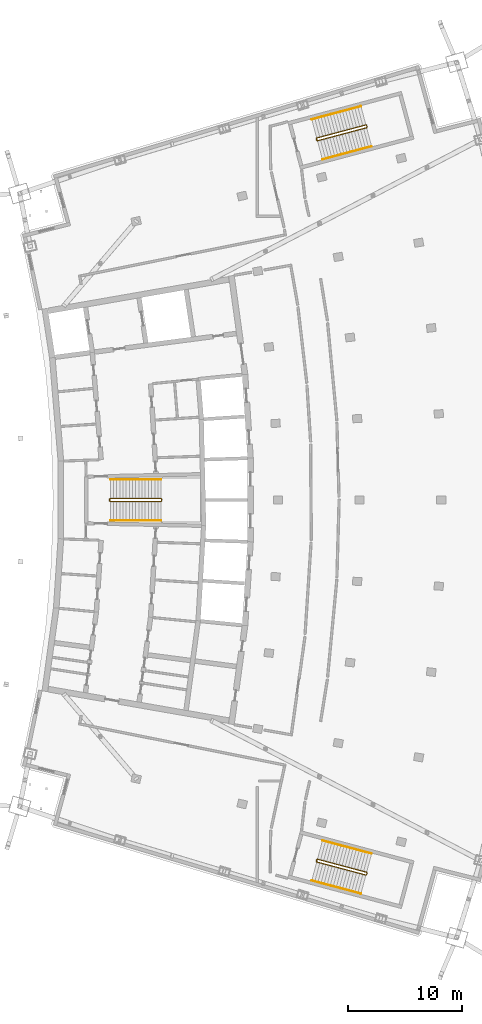
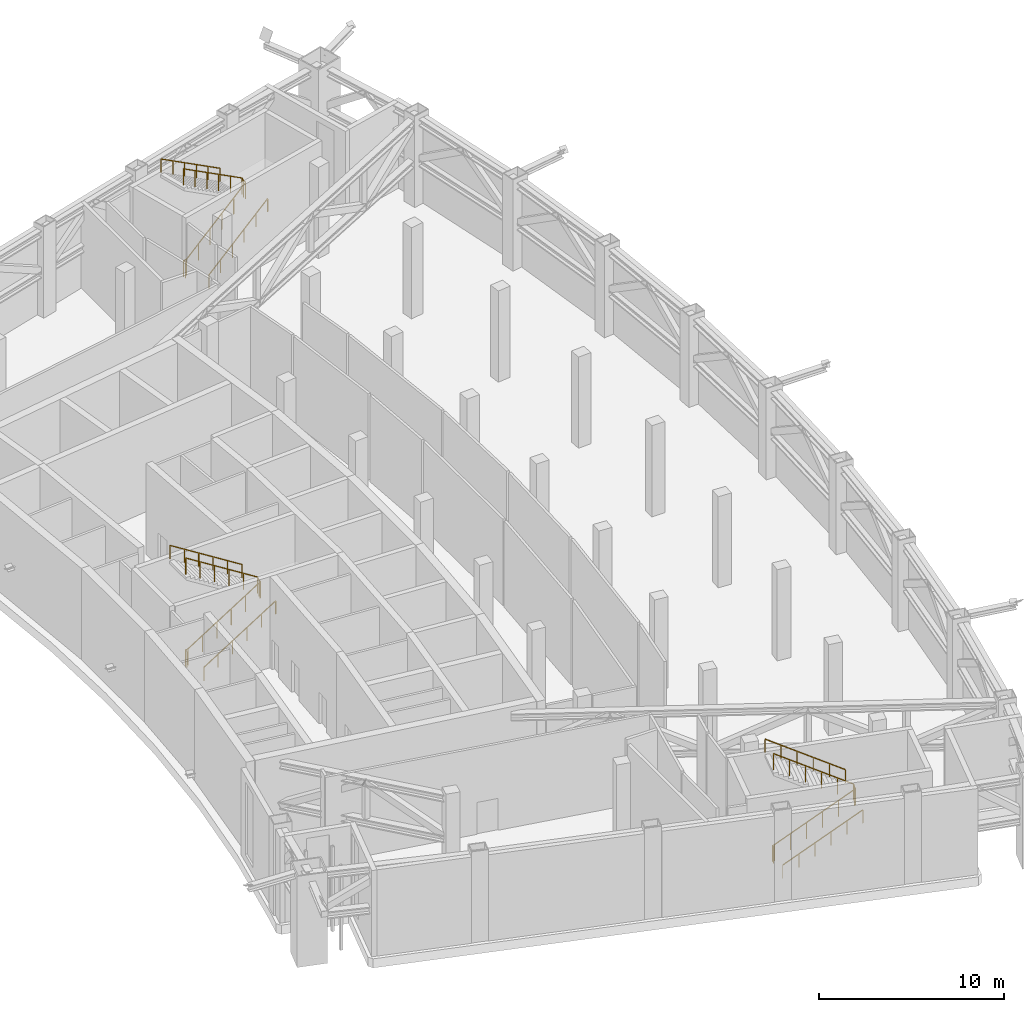
# One storey, part 23 of 23: 9 railings.
"""IFC4 building model written with IfcOpenShell, lengths in metres."""

from ifc_helpers import new_model, si_unit, direction, frame, origin, origin_with_axes, origin_2d, place, context, subcontext, project, spatial, rectangle, extrude, material, type_object, element, save


model = new_model("IFC4")

# Units and contexts
model_context = context("Model", 3, precision=1e-05, world=origin(), true_north=direction((0.0, 1.0)))
body_context = subcontext(model_context, "Body", "Model", "MODEL_VIEW")
ifc_project = project(units=[si_unit("LENGTHUNIT", "METRE"), si_unit("AREAUNIT", "SQUARE_METRE"), si_unit("VOLUMEUNIT", "CUBIC_METRE"), si_unit("PLANEANGLEUNIT", "RADIAN"), si_unit("MASSUNIT", "GRAM", prefix="KILO")], contexts=[model_context])

# Site, building, storey
site_placement = place(None, origin())
site = spatial("IfcSite", under=ifc_project, at=site_placement, CompositionType="ELEMENT")
building_placement = place(site_placement, origin())
building = spatial("IfcBuilding", under=site, at=building_placement, Name="Alderwake Tower", CompositionType="ELEMENT")
storey_placement = place(building_placement, frame((0.0, 0.0, 239.60009765625)))
storey = spatial("IfcBuildingStorey", under=building, at=storey_placement, Name="L59", CompositionType="ELEMENT", Elevation=239.60009765625)

# Railings
ifc_material_1 = material(Name="Stainless steel guard", Category="steel")
railing_type_1 = type_object("IfcRailingType", Name="Stair guard 1100", PredefinedType="GUARDRAIL", material=ifc_material_1)
railing_1_placement = place(storey_placement, frame((20.989990234375, 60.925048828125, 0.0)))
element("IfcRailing", 1, at=railing_1_placement, inside=storey, type_object=railing_type_1, Name="L59 ST-B stair guard 1", PredefinedType="GUARDRAIL", context=body_context, shape_type="SweptSolid", body=[
    extrude(rectangle(XDim=0.048095703125, YDim=0.048095703125, at=origin_2d()), frame((0.0, 0.0, 1.076171875), z_axis=(0.0, 1.0, 0.0), x_axis=(-1.0, 0.0, 0.0)), (0.0, 0.0, 1.0), 0.14990234375),
    extrude(rectangle(XDim=0.048095703125, YDim=0.048095703125, at=origin_2d()), frame((0.0, 0.14990234375, 1.076171875), z_axis=(0.184537215682, -0.737248681189, 0.649931071817), x_axis=(0.970072785993, 0.242814311512, 0.0)), (0.0, 0.0, 1.0), 0.271240234375),
    extrude(rectangle(XDim=0.048095703125, YDim=0.048095703125, at=origin_2d()), frame((0.050048828125, -0.050048828125, 1.25244140625), z_axis=(0.845977142166, 0.0, 0.533219162196), x_axis=(0.0, 1.0, 0.0)), (0.0, 0.0, 1.0), 5.295654296875),
    extrude(rectangle(XDim=0.048095703125, YDim=0.048095703125, at=origin_2d()), frame((4.530029296875, -0.050048828125, 4.076171875), z_axis=(0.707106781187, 0.707106781187, 0.0), x_axis=(-0.707106781187, 0.707106781187, 0.0)), (0.0, 0.0, 1.0), 0.07080078125),
    extrude(rectangle(XDim=0.048095703125, YDim=0.048095703125, at=origin_2d()), frame((4.580078125, 0.0, 4.076171875), z_axis=(0.0, 1.0, 0.0), x_axis=(-1.0, 0.0, 0.0)), (0.0, 0.0, 1.0), 0.14990234375),
    extrude(rectangle(XDim=0.048095703125, YDim=0.048095703125, at=origin_2d()), frame((4.580078125, 0.14990234375, 4.076171875), z_axis=(-0.263485261471, 0.263485261471, 0.927982237963), x_axis=(-0.707106781187, -0.707106781187, 0.0)), (0.0, 0.0, 1.0), 0.18994140625),
    extrude(rectangle(XDim=0.048095703125, YDim=0.048095703125, at=origin_2d()), frame((4.530029296875, 0.199951171875, 4.25244140625), z_axis=(-0.845977142166, 0.0, 0.533219162196), x_axis=(0.0, -1.0, 0.0)), (0.0, 0.0, 1.0), 5.295654296875),
    extrude(rectangle(XDim=0.0419921875, YDim=0.0419921875, at=origin_2d()), frame((0.0, 0.0, 0.0), z_axis=(0.0, 0.0, 1.0), x_axis=(0.0, 1.0, 0.0)), (0.0, 0.0, 1.0), 1.052001953125),
    extrude(rectangle(XDim=0.0419921875, YDim=0.0419921875, at=origin_2d()), frame((0.0, 0.14990234375, 0.0), z_axis=(0.0, 0.0, 1.0), x_axis=(0.242814311512, -0.970072785993, 0.0)), (0.0, 0.0, 1.0), 1.052001953125),
    extrude(rectangle(XDim=0.0419921875, YDim=0.0419921875, at=origin_2d()), frame((0.050048828125, -0.050048828125, 0.17626953125), z_axis=(0.0, 0.0, 1.0), x_axis=(1.0, 0.0, 0.0)), (0.0, 0.0, 1.0), 1.052001953125),
    extrude(rectangle(XDim=0.0419921875, YDim=0.0419921875, at=origin_2d()), frame((0.946044921875, -0.050048828125, 0.740966796875), z_axis=(0.0, 0.0, 1.0), x_axis=(1.0, 0.0, 0.0)), (0.0, 0.0, 1.0), 1.052001953125),
    extrude(rectangle(XDim=0.0419921875, YDim=0.0419921875, at=origin_2d()), frame((1.842041015625, -0.050048828125, 1.3056640625), z_axis=(0.0, 0.0, 1.0), x_axis=(1.0, 0.0, 0.0)), (0.0, 0.0, 1.0), 1.052001953125),
    extrude(rectangle(XDim=0.0419921875, YDim=0.0419921875, at=origin_2d()), frame((2.738037109375, -0.050048828125, 1.87060546875), z_axis=(0.0, 0.0, 1.0), x_axis=(1.0, 0.0, 0.0)), (0.0, 0.0, 1.0), 1.052001953125),
    extrude(rectangle(XDim=0.0419921875, YDim=0.0419921875, at=origin_2d()), frame((3.634033203125, -0.050048828125, 2.435302734375), z_axis=(0.0, 0.0, 1.0), x_axis=(1.0, 0.0, 0.0)), (0.0, 0.0, 1.0), 1.052001953125),
    extrude(rectangle(XDim=0.0419921875, YDim=0.0419921875, at=origin_2d()), frame((4.530029296875, -0.050048828125, 3.0), z_axis=(0.0, 0.0, 1.0), x_axis=(0.707106781187, 0.707106781187, 0.0)), (0.0, 0.0, 1.0), 1.052001953125),
    extrude(rectangle(XDim=0.0419921875, YDim=0.0419921875, at=origin_2d()), frame((4.580078125, 0.0, 3.0), z_axis=(0.0, 0.0, 1.0), x_axis=(0.0, 1.0, 0.0)), (0.0, 0.0, 1.0), 1.052001953125),
    extrude(rectangle(XDim=0.0419921875, YDim=0.0419921875, at=origin_2d()), frame((4.580078125, 0.14990234375, 3.0), z_axis=(0.0, 0.0, 1.0), x_axis=(-0.707106781187, 0.707106781187, 0.0)), (0.0, 0.0, 1.0), 1.052001953125),
    extrude(rectangle(XDim=0.0419921875, YDim=0.0419921875, at=origin_2d()), frame((4.530029296875, 0.199951171875, 3.17626953125), z_axis=(0.0, 0.0, 1.0), x_axis=(-1.0, 0.0, 0.0)), (0.0, 0.0, 1.0), 1.052001953125),
    extrude(rectangle(XDim=0.0419921875, YDim=0.0419921875, at=origin_2d()), frame((3.634033203125, 0.199951171875, 3.740966796875), z_axis=(0.0, 0.0, 1.0), x_axis=(-1.0, 0.0, 0.0)), (0.0, 0.0, 1.0), 1.052001953125),
    extrude(rectangle(XDim=0.0419921875, YDim=0.0419921875, at=origin_2d()), frame((2.738037109375, 0.199951171875, 4.3056640625), z_axis=(0.0, 0.0, 1.0), x_axis=(-1.0, 0.0, 0.0)), (0.0, 0.0, 1.0), 1.052001953125),
    extrude(rectangle(XDim=0.0419921875, YDim=0.0419921875, at=origin_2d()), frame((1.842041015625, 0.199951171875, 4.87060546875), z_axis=(0.0, 0.0, 1.0), x_axis=(-1.0, 0.0, 0.0)), (0.0, 0.0, 1.0), 1.052001953125),
    extrude(rectangle(XDim=0.0419921875, YDim=0.0419921875, at=origin_2d()), frame((0.946044921875, 0.199951171875, 5.435302734375), z_axis=(0.0, 0.0, 1.0), x_axis=(-1.0, 0.0, 0.0)), (0.0, 0.0, 1.0), 1.052001953125),
    extrude(rectangle(XDim=0.0419921875, YDim=0.0419921875, at=origin_2d()), frame((0.050048828125, 0.199951171875, 6.0), z_axis=(0.0, 0.0, 1.0), x_axis=(-1.0, 0.0, 0.0)), (0.0, 0.0, 1.0), 1.052001953125),
])
railing_2_placement = place(storey_placement, frame((39.23291015625, 92.6806640625, 0.0)))
element("IfcRailing", 2, at=railing_2_placement, inside=storey, type_object=railing_type_1, Name="L59 ST-A stair guard 1", PredefinedType="GUARDRAIL", context=body_context, shape_type="SweptSolid", body=[
    extrude(rectangle(XDim=0.048095703125, YDim=0.048095703125, at=origin_2d()), frame((0.0, 0.0, 1.076171875), z_axis=(-0.257055032184, 0.966396766566, 0.0), x_axis=(-0.966396766566, -0.257055032184, 0.0)), (0.0, 0.0, 1.0), 0.150146484375),
    extrude(rectangle(XDim=0.048095703125, YDim=0.048095703125, at=origin_2d()), frame((-0.03857421875, 0.14501953125, 1.076171875), z_axis=(0.36808239504, -0.665068190549, 0.649768922296), x_axis=(0.874937996095, 0.484234966715, 0.0)), (0.0, 0.0, 1.0), 0.271240234375),
    extrude(rectangle(XDim=0.048095703125, YDim=0.048095703125, at=origin_2d()), frame((0.061279296875, -0.035400390625, 1.25244140625), z_axis=(0.817478926919, 0.21773928332, 0.533214598959), x_axis=(-0.257381118461, 0.966309970899, 0.0)), (0.0, 0.0, 1.0), 5.295654296875),
    extrude(rectangle(XDim=0.048095703125, YDim=0.048095703125, at=origin_2d()), frame((4.390380859375, 1.11767578125, 4.076171875), z_axis=(0.500220121494, 0.865898279276, 0.0), x_axis=(-0.865898279276, 0.500220121494, 0.0)), (0.0, 0.0, 1.0), 0.07080078125),
    extrude(rectangle(XDim=0.048095703125, YDim=0.048095703125, at=origin_2d()), frame((4.42578125, 1.178955078125, 4.076171875), z_axis=(-0.257055032184, 0.966396766566, 0.0), x_axis=(-0.966396766566, -0.257055032184, 0.0)), (0.0, 0.0, 1.0), 0.150146484375),
    extrude(rectangle(XDim=0.048095703125, YDim=0.048095703125, at=origin_2d()), frame((4.38720703125, 1.323974609375, 4.076171875), z_axis=(-0.322615179069, 0.186371318586, 0.928000634613), x_axis=(-0.500220121494, -0.865898279276, 0.0)), (0.0, 0.0, 1.0), 0.18994140625),
    extrude(rectangle(XDim=0.048095703125, YDim=0.048095703125, at=origin_2d()), frame((4.325927734375, 1.359375, 4.25244140625), z_axis=(-0.817478926919, -0.21773928332, 0.533214598959), x_axis=(0.257381118461, -0.966309970899, 0.0)), (0.0, 0.0, 1.0), 5.295654296875),
    extrude(rectangle(XDim=0.0419921875, YDim=0.0419921875, at=origin_2d()), frame((0.0, 0.0, 0.0), z_axis=(0.0, 0.0, 1.0), x_axis=(-0.257055032184, 0.966396766566, 0.0)), (0.0, 0.0, 1.0), 1.052001953125),
    extrude(rectangle(XDim=0.0419921875, YDim=0.0419921875, at=origin_2d()), frame((-0.03857421875, 0.14501953125, 0.0), z_axis=(0.0, 0.0, 1.0), x_axis=(0.484234966715, -0.874937996095, 0.0)), (0.0, 0.0, 1.0), 1.052001953125),
    extrude(rectangle(XDim=0.0419921875, YDim=0.0419921875, at=origin_2d()), frame((0.061279296875, -0.035400390625, 0.17626953125), z_axis=(0.0, 0.0, 1.0), x_axis=(0.966309970899, 0.257381118461, 0.0)), (0.0, 0.0, 1.0), 1.052001953125),
    extrude(rectangle(XDim=0.0419921875, YDim=0.0419921875, at=origin_2d()), frame((0.927001953125, 0.1953125, 0.740966796875), z_axis=(0.0, 0.0, 1.0), x_axis=(0.966309970899, 0.257381118461, 0.0)), (0.0, 0.0, 1.0), 1.052001953125),
    extrude(rectangle(XDim=0.0419921875, YDim=0.0419921875, at=origin_2d()), frame((1.79296875, 0.42578125, 1.3056640625), z_axis=(0.0, 0.0, 1.0), x_axis=(0.966309970899, 0.257381118461, 0.0)), (0.0, 0.0, 1.0), 1.052001953125),
    extrude(rectangle(XDim=0.0419921875, YDim=0.0419921875, at=origin_2d()), frame((2.65869140625, 0.656494140625, 1.87060546875), z_axis=(0.0, 0.0, 1.0), x_axis=(0.966309970899, 0.257381118461, 0.0)), (0.0, 0.0, 1.0), 1.052001953125),
    extrude(rectangle(XDim=0.0419921875, YDim=0.0419921875, at=origin_2d()), frame((3.524658203125, 0.886962890625, 2.435302734375), z_axis=(0.0, 0.0, 1.0), x_axis=(0.966309970899, 0.257381118461, 0.0)), (0.0, 0.0, 1.0), 1.052001953125),
    extrude(rectangle(XDim=0.0419921875, YDim=0.0419921875, at=origin_2d()), frame((4.390380859375, 1.11767578125, 3.0), z_axis=(0.0, 0.0, 1.0), x_axis=(0.500220121494, 0.865898279276, 0.0)), (0.0, 0.0, 1.0), 1.052001953125),
    extrude(rectangle(XDim=0.0419921875, YDim=0.0419921875, at=origin_2d()), frame((4.42578125, 1.178955078125, 3.0), z_axis=(0.0, 0.0, 1.0), x_axis=(-0.257055032184, 0.966396766566, 0.0)), (0.0, 0.0, 1.0), 1.052001953125),
    extrude(rectangle(XDim=0.0419921875, YDim=0.0419921875, at=origin_2d()), frame((4.38720703125, 1.323974609375, 3.0), z_axis=(0.0, 0.0, 1.0), x_axis=(-0.865898279276, 0.500220121494, 0.0)), (0.0, 0.0, 1.0), 1.052001953125),
    extrude(rectangle(XDim=0.0419921875, YDim=0.0419921875, at=origin_2d()), frame((4.325927734375, 1.359375, 3.17626953125), z_axis=(0.0, 0.0, 1.0), x_axis=(-0.966309970899, -0.257381118461, 0.0)), (0.0, 0.0, 1.0), 1.052001953125),
    extrude(rectangle(XDim=0.0419921875, YDim=0.0419921875, at=origin_2d()), frame((3.460205078125, 1.128662109375, 3.740966796875), z_axis=(0.0, 0.0, 1.0), x_axis=(-0.966309970899, -0.257381118461, 0.0)), (0.0, 0.0, 1.0), 1.052001953125),
    extrude(rectangle(XDim=0.0419921875, YDim=0.0419921875, at=origin_2d()), frame((2.59423828125, 0.898193359375, 4.3056640625), z_axis=(0.0, 0.0, 1.0), x_axis=(-0.966309970899, -0.257381118461, 0.0)), (0.0, 0.0, 1.0), 1.052001953125),
    extrude(rectangle(XDim=0.0419921875, YDim=0.0419921875, at=origin_2d()), frame((1.728515625, 0.66748046875, 4.87060546875), z_axis=(0.0, 0.0, 1.0), x_axis=(-0.966309970899, -0.257381118461, 0.0)), (0.0, 0.0, 1.0), 1.052001953125),
    extrude(rectangle(XDim=0.0419921875, YDim=0.0419921875, at=origin_2d()), frame((0.862548828125, 0.43701171875, 5.435302734375), z_axis=(0.0, 0.0, 1.0), x_axis=(-0.966309970899, -0.257381118461, 0.0)), (0.0, 0.0, 1.0), 1.052001953125),
    extrude(rectangle(XDim=0.0419921875, YDim=0.0419921875, at=origin_2d()), frame((-0.003173828125, 0.206298828125, 6.0), z_axis=(0.0, 0.0, 1.0), x_axis=(-0.966309970899, -0.257381118461, 0.0)), (0.0, 0.0, 1.0), 1.052001953125),
])
railing_3_placement = place(storey_placement, frame((39.1943359375, 29.17431640625, 0.0)))
element("IfcRailing", 3, at=railing_3_placement, inside=storey, type_object=railing_type_1, Name="L59 ST-C stair guard 1", PredefinedType="GUARDRAIL", context=body_context, shape_type="SweptSolid", body=[
    extrude(rectangle(XDim=0.048095703125, YDim=0.048095703125, at=origin_2d()), frame((0.0, 0.0, 1.076171875), z_axis=(0.257459803502, 0.966289009345, 0.0), x_axis=(-0.966289009345, 0.257459803502, 0.0)), (0.0, 0.0, 1.0), 0.14990234375),
    extrude(rectangle(XDim=0.048095703125, YDim=0.048095703125, at=origin_2d()), frame((0.03857421875, 0.144775390625, 1.076171875), z_axis=(-0.011703692571, -0.759839733061, 0.650005079704), x_axis=(0.999881397308, -0.015401016783, 0.0)), (0.0, 0.0, 1.0), 0.271240234375),
    extrude(rectangle(XDim=0.048095703125, YDim=0.048095703125, at=origin_2d()), frame((0.035400390625, -0.061279296875, 1.25244140625), z_axis=(0.817478926919, -0.21773928332, 0.533214598959), x_axis=(0.257381118461, 0.966309970899, 0.0)), (0.0, 0.0, 1.0), 5.295654296875),
    extrude(rectangle(XDim=0.048095703125, YDim=0.048095703125, at=origin_2d()), frame((4.364501953125, -1.21435546875, 4.076171875), z_axis=(0.865898279276, 0.500220121494, 0.0), x_axis=(-0.500220121494, 0.865898279276, 0.0)), (0.0, 0.0, 1.0), 0.07080078125),
    extrude(rectangle(XDim=0.048095703125, YDim=0.048095703125, at=origin_2d()), frame((4.42578125, -1.178955078125, 4.076171875), z_axis=(0.257055032184, 0.966396766566, 0.0), x_axis=(-0.966396766566, 0.257055032184, 0.0)), (0.0, 0.0, 1.0), 0.150146484375),
    extrude(rectangle(XDim=0.048095703125, YDim=0.048095703125, at=origin_2d()), frame((4.46435546875, -1.033935546875, 4.076171875), z_axis=(-0.186371318586, 0.322615179069, 0.928000634613), x_axis=(-0.865898279276, -0.500220121494, 0.0)), (0.0, 0.0, 1.0), 0.18994140625),
    extrude(rectangle(XDim=0.048095703125, YDim=0.048095703125, at=origin_2d()), frame((4.428955078125, -0.97265625, 4.25244140625), z_axis=(-0.817478926919, 0.21773928332, 0.533214598959), x_axis=(-0.257381118461, -0.966309970899, 0.0)), (0.0, 0.0, 1.0), 5.295654296875),
    extrude(rectangle(XDim=0.0419921875, YDim=0.0419921875, at=origin_2d()), frame((0.0, 0.0, 0.0), z_axis=(0.0, 0.0, 1.0), x_axis=(0.257459803502, 0.966289009345, 0.0)), (0.0, 0.0, 1.0), 1.052001953125),
    extrude(rectangle(XDim=0.0419921875, YDim=0.0419921875, at=origin_2d()), frame((0.03857421875, 0.144775390625, 0.0), z_axis=(0.0, 0.0, 1.0), x_axis=(-0.015401016783, -0.999881397308, 0.0)), (0.0, 0.0, 1.0), 1.052001953125),
    extrude(rectangle(XDim=0.0419921875, YDim=0.0419921875, at=origin_2d()), frame((0.035400390625, -0.061279296875, 0.17626953125), z_axis=(0.0, 0.0, 1.0), x_axis=(0.966309970899, -0.257381118461, 0.0)), (0.0, 0.0, 1.0), 1.052001953125),
    extrude(rectangle(XDim=0.0419921875, YDim=0.0419921875, at=origin_2d()), frame((0.901123046875, -0.2919921875, 0.740966796875), z_axis=(0.0, 0.0, 1.0), x_axis=(0.966309970899, -0.257381118461, 0.0)), (0.0, 0.0, 1.0), 1.052001953125),
    extrude(rectangle(XDim=0.0419921875, YDim=0.0419921875, at=origin_2d()), frame((1.76708984375, -0.5224609375, 1.3056640625), z_axis=(0.0, 0.0, 1.0), x_axis=(0.966309970899, -0.257381118461, 0.0)), (0.0, 0.0, 1.0), 1.052001953125),
    extrude(rectangle(XDim=0.0419921875, YDim=0.0419921875, at=origin_2d()), frame((2.6328125, -0.753173828125, 1.87060546875), z_axis=(0.0, 0.0, 1.0), x_axis=(0.966309970899, -0.257381118461, 0.0)), (0.0, 0.0, 1.0), 1.052001953125),
    extrude(rectangle(XDim=0.0419921875, YDim=0.0419921875, at=origin_2d()), frame((3.498779296875, -0.983642578125, 2.435302734375), z_axis=(0.0, 0.0, 1.0), x_axis=(0.966309970899, -0.257381118461, 0.0)), (0.0, 0.0, 1.0), 1.052001953125),
    extrude(rectangle(XDim=0.0419921875, YDim=0.0419921875, at=origin_2d()), frame((4.364501953125, -1.21435546875, 3.0), z_axis=(0.0, 0.0, 1.0), x_axis=(0.865898279276, 0.500220121494, 0.0)), (0.0, 0.0, 1.0), 1.052001953125),
    extrude(rectangle(XDim=0.0419921875, YDim=0.0419921875, at=origin_2d()), frame((4.42578125, -1.178955078125, 3.0), z_axis=(0.0, 0.0, 1.0), x_axis=(0.257055032184, 0.966396766566, 0.0)), (0.0, 0.0, 1.0), 1.052001953125),
    extrude(rectangle(XDim=0.0419921875, YDim=0.0419921875, at=origin_2d()), frame((4.46435546875, -1.033935546875, 3.0), z_axis=(0.0, 0.0, 1.0), x_axis=(-0.500220121494, 0.865898279276, 0.0)), (0.0, 0.0, 1.0), 1.052001953125),
    extrude(rectangle(XDim=0.0419921875, YDim=0.0419921875, at=origin_2d()), frame((4.428955078125, -0.97265625, 3.17626953125), z_axis=(0.0, 0.0, 1.0), x_axis=(-0.966309970899, 0.257381118461, 0.0)), (0.0, 0.0, 1.0), 1.052001953125),
    extrude(rectangle(XDim=0.0419921875, YDim=0.0419921875, at=origin_2d()), frame((3.563232421875, -0.741943359375, 3.740966796875), z_axis=(0.0, 0.0, 1.0), x_axis=(-0.966309970899, 0.257381118461, 0.0)), (0.0, 0.0, 1.0), 1.052001953125),
    extrude(rectangle(XDim=0.0419921875, YDim=0.0419921875, at=origin_2d()), frame((2.697265625, -0.511474609375, 4.3056640625), z_axis=(0.0, 0.0, 1.0), x_axis=(-0.966309970899, 0.257381118461, 0.0)), (0.0, 0.0, 1.0), 1.052001953125),
    extrude(rectangle(XDim=0.0419921875, YDim=0.0419921875, at=origin_2d()), frame((1.83154296875, -0.28076171875, 4.87060546875), z_axis=(0.0, 0.0, 1.0), x_axis=(-0.966309970899, 0.257381118461, 0.0)), (0.0, 0.0, 1.0), 1.052001953125),
    extrude(rectangle(XDim=0.0419921875, YDim=0.0419921875, at=origin_2d()), frame((0.965576171875, -0.05029296875, 5.435302734375), z_axis=(0.0, 0.0, 1.0), x_axis=(-0.966309970899, 0.257381118461, 0.0)), (0.0, 0.0, 1.0), 1.052001953125),
    extrude(rectangle(XDim=0.0419921875, YDim=0.0419921875, at=origin_2d()), frame((0.099853515625, 0.180419921875, 6.0), z_axis=(0.0, 0.0, 1.0), x_axis=(-0.966309970899, 0.257381118461, 0.0)), (0.0, 0.0, 1.0), 1.052001953125),
])
ifc_material_2 = material(Name="Stainless steel handrail", Category="steel")
railing_type_2 = type_object("IfcRailingType", Name="Stair handrail 900", PredefinedType="HANDRAIL", material=ifc_material_2)
railing_4_placement = place(storey_placement, frame((21.0400390625, 59.175048828125, 0.17626953125)))
element("IfcRailing", 4, at=railing_4_placement, inside=storey, type_object=railing_type_2, Name="L59 ST-B stair handrail 1", PredefinedType="HANDRAIL", context=body_context, shape_type="SweptSolid", body=[
    extrude(rectangle(XDim=0.048095703125, YDim=0.048095703125, at=origin_2d()), frame((0.0, 0.0, 0.8759765625), z_axis=(0.845977142166, 0.0, 0.533219162196), x_axis=(0.0, 1.0, 0.0)), (0.0, 0.0, 1.0), 5.295654296875),
    extrude(rectangle(XDim=0.0419921875, YDim=0.0419921875, at=origin_2d()), origin_with_axes(), (0.0, 0.0, 1.0), 0.851806640625),
    extrude(rectangle(XDim=0.0419921875, YDim=0.0419921875, at=origin_2d()), frame((0.89599609375, 0.0, 0.564697265625), z_axis=(0.0, 0.0, 1.0), x_axis=(1.0, 0.0, 0.0)), (0.0, 0.0, 1.0), 0.851806640625),
    extrude(rectangle(XDim=0.0419921875, YDim=0.0419921875, at=origin_2d()), frame((1.7919921875, 0.0, 1.12939453125), z_axis=(0.0, 0.0, 1.0), x_axis=(1.0, 0.0, 0.0)), (0.0, 0.0, 1.0), 0.851806640625),
    extrude(rectangle(XDim=0.0419921875, YDim=0.0419921875, at=origin_2d()), frame((2.68798828125, 0.0, 1.6943359375), z_axis=(0.0, 0.0, 1.0), x_axis=(1.0, 0.0, 0.0)), (0.0, 0.0, 1.0), 0.851806640625),
    extrude(rectangle(XDim=0.0419921875, YDim=0.0419921875, at=origin_2d()), frame((3.583984375, 0.0, 2.259033203125), z_axis=(0.0, 0.0, 1.0), x_axis=(1.0, 0.0, 0.0)), (0.0, 0.0, 1.0), 0.851806640625),
    extrude(rectangle(XDim=0.0419921875, YDim=0.0419921875, at=origin_2d()), frame((4.47998046875, 0.0, 2.82373046875), z_axis=(0.0, 0.0, 1.0), x_axis=(1.0, 0.0, 0.0)), (0.0, 0.0, 1.0), 0.851806640625),
])
railing_5_placement = place(storey_placement, frame((25.52001953125, 62.824951171875, 3.17626953125)))
element("IfcRailing", 5, at=railing_5_placement, inside=storey, type_object=railing_type_2, Name="L59 ST-B stair handrail 2", PredefinedType="HANDRAIL", context=body_context, shape_type="SweptSolid", body=[
    extrude(rectangle(XDim=0.048095703125, YDim=0.048095703125, at=origin_2d()), frame((0.0, 0.0, 0.8759765625), z_axis=(-0.845977142166, 0.0, 0.533219162196), x_axis=(0.0, -1.0, 0.0)), (0.0, 0.0, 1.0), 5.295654296875),
    extrude(rectangle(XDim=0.0419921875, YDim=0.0419921875, at=origin_2d()), frame((0.0, 0.0, 0.0), z_axis=(0.0, 0.0, 1.0), x_axis=(-1.0, 0.0, 0.0)), (0.0, 0.0, 1.0), 0.851806640625),
    extrude(rectangle(XDim=0.0419921875, YDim=0.0419921875, at=origin_2d()), frame((-0.89599609375, 0.0, 0.564697265625), z_axis=(0.0, 0.0, 1.0), x_axis=(-1.0, 0.0, 0.0)), (0.0, 0.0, 1.0), 0.851806640625),
    extrude(rectangle(XDim=0.0419921875, YDim=0.0419921875, at=origin_2d()), frame((-1.7919921875, 0.0, 1.12939453125), z_axis=(0.0, 0.0, 1.0), x_axis=(-1.0, 0.0, 0.0)), (0.0, 0.0, 1.0), 0.851806640625),
    extrude(rectangle(XDim=0.0419921875, YDim=0.0419921875, at=origin_2d()), frame((-2.68798828125, 0.0, 1.6943359375), z_axis=(0.0, 0.0, 1.0), x_axis=(-1.0, 0.0, 0.0)), (0.0, 0.0, 1.0), 0.851806640625),
    extrude(rectangle(XDim=0.0419921875, YDim=0.0419921875, at=origin_2d()), frame((-3.583984375, 0.0, 2.259033203125), z_axis=(0.0, 0.0, 1.0), x_axis=(-1.0, 0.0, 0.0)), (0.0, 0.0, 1.0), 0.851806640625),
    extrude(rectangle(XDim=0.0419921875, YDim=0.0419921875, at=origin_2d()), frame((-4.47998046875, 0.0, 2.82373046875), z_axis=(0.0, 0.0, 1.0), x_axis=(-1.0, 0.0, 0.0)), (0.0, 0.0, 1.0), 0.851806640625),
])
railing_6_placement = place(storey_placement, frame((39.731689453125, 91.002685546875, 0.17626953125)))
element("IfcRailing", 6, at=railing_6_placement, inside=storey, type_object=railing_type_2, Name="L59 ST-A stair handrail 1", PredefinedType="HANDRAIL", context=body_context, shape_type="SweptSolid", body=[
    extrude(rectangle(XDim=0.048095703125, YDim=0.048095703125, at=origin_2d()), frame((0.0, 0.0, 0.8759765625), z_axis=(0.817478926919, 0.21773928332, 0.533214598959), x_axis=(-0.257381118461, 0.966309970899, 0.0)), (0.0, 0.0, 1.0), 5.295654296875),
    extrude(rectangle(XDim=0.0419921875, YDim=0.0419921875, at=origin_2d()), frame((0.0, 0.0, 0.0), z_axis=(0.0, 0.0, 1.0), x_axis=(0.966309970899, 0.257381118461, 0.0)), (0.0, 0.0, 1.0), 0.851806640625),
    extrude(rectangle(XDim=0.0419921875, YDim=0.0419921875, at=origin_2d()), frame((0.86572265625, 0.230712890625, 0.564697265625), z_axis=(0.0, 0.0, 1.0), x_axis=(0.966309970899, 0.257381118461, 0.0)), (0.0, 0.0, 1.0), 0.851806640625),
    extrude(rectangle(XDim=0.0419921875, YDim=0.0419921875, at=origin_2d()), frame((1.731689453125, 0.461181640625, 1.12939453125), z_axis=(0.0, 0.0, 1.0), x_axis=(0.966309970899, 0.257381118461, 0.0)), (0.0, 0.0, 1.0), 0.851806640625),
    extrude(rectangle(XDim=0.0419921875, YDim=0.0419921875, at=origin_2d()), frame((2.597412109375, 0.69189453125, 1.6943359375), z_axis=(0.0, 0.0, 1.0), x_axis=(0.966309970899, 0.257381118461, 0.0)), (0.0, 0.0, 1.0), 0.851806640625),
    extrude(rectangle(XDim=0.0419921875, YDim=0.0419921875, at=origin_2d()), frame((3.46337890625, 0.92236328125, 2.259033203125), z_axis=(0.0, 0.0, 1.0), x_axis=(0.966309970899, 0.257381118461, 0.0)), (0.0, 0.0, 1.0), 0.851806640625),
    extrude(rectangle(XDim=0.0419921875, YDim=0.0419921875, at=origin_2d()), frame((4.3291015625, 1.153076171875, 2.82373046875), z_axis=(0.0, 0.0, 1.0), x_axis=(0.966309970899, 0.257381118461, 0.0)), (0.0, 0.0, 1.0), 0.851806640625),
])
railing_7_placement = place(storey_placement, frame((43.121337890625, 95.6826171875, 3.17626953125)))
element("IfcRailing", 7, at=railing_7_placement, inside=storey, type_object=railing_type_2, Name="L59 ST-A stair handrail 2", PredefinedType="HANDRAIL", context=body_context, shape_type="SweptSolid", body=[
    extrude(rectangle(XDim=0.048095703125, YDim=0.048095703125, at=origin_2d()), frame((0.0, 0.0, 0.8759765625), z_axis=(-0.817478926919, -0.21773928332, 0.533214598959), x_axis=(0.257381118461, -0.966309970899, 0.0)), (0.0, 0.0, 1.0), 5.295654296875),
    extrude(rectangle(XDim=0.0419921875, YDim=0.0419921875, at=origin_2d()), frame((0.0, 0.0, 0.0), z_axis=(0.0, 0.0, 1.0), x_axis=(-0.966309970899, -0.257381118461, 0.0)), (0.0, 0.0, 1.0), 0.851806640625),
    extrude(rectangle(XDim=0.0419921875, YDim=0.0419921875, at=origin_2d()), frame((-0.86572265625, -0.230712890625, 0.564697265625), z_axis=(0.0, 0.0, 1.0), x_axis=(-0.966309970899, -0.257381118461, 0.0)), (0.0, 0.0, 1.0), 0.851806640625),
    extrude(rectangle(XDim=0.0419921875, YDim=0.0419921875, at=origin_2d()), frame((-1.731689453125, -0.461181640625, 1.12939453125), z_axis=(0.0, 0.0, 1.0), x_axis=(-0.966309970899, -0.257381118461, 0.0)), (0.0, 0.0, 1.0), 0.851806640625),
    extrude(rectangle(XDim=0.0419921875, YDim=0.0419921875, at=origin_2d()), frame((-2.597412109375, -0.69189453125, 1.6943359375), z_axis=(0.0, 0.0, 1.0), x_axis=(-0.966309970899, -0.257381118461, 0.0)), (0.0, 0.0, 1.0), 0.851806640625),
    extrude(rectangle(XDim=0.0419921875, YDim=0.0419921875, at=origin_2d()), frame((-3.46337890625, -0.92236328125, 2.259033203125), z_axis=(0.0, 0.0, 1.0), x_axis=(-0.966309970899, -0.257381118461, 0.0)), (0.0, 0.0, 1.0), 0.851806640625),
    extrude(rectangle(XDim=0.0419921875, YDim=0.0419921875, at=origin_2d()), frame((-4.3291015625, -1.153076171875, 2.82373046875), z_axis=(0.0, 0.0, 1.0), x_axis=(-0.966309970899, -0.257381118461, 0.0)), (0.0, 0.0, 1.0), 0.851806640625),
])
railing_8_placement = place(storey_placement, frame((38.792236328125, 27.47021484375, 0.17626953125)))
element("IfcRailing", 8, at=railing_8_placement, inside=storey, type_object=railing_type_2, Name="L59 ST-C stair handrail 1", PredefinedType="HANDRAIL", context=body_context, shape_type="SweptSolid", body=[
    extrude(rectangle(XDim=0.048095703125, YDim=0.048095703125, at=origin_2d()), frame((0.0, 0.0, 0.8759765625), z_axis=(0.817478926919, -0.21773928332, 0.533214598959), x_axis=(0.257381118461, 0.966309970899, 0.0)), (0.0, 0.0, 1.0), 5.295654296875),
    extrude(rectangle(XDim=0.0419921875, YDim=0.0419921875, at=origin_2d()), frame((0.0, 0.0, 0.0), z_axis=(0.0, 0.0, 1.0), x_axis=(0.966309970899, -0.257381118461, 0.0)), (0.0, 0.0, 1.0), 0.851806640625),
    extrude(rectangle(XDim=0.0419921875, YDim=0.0419921875, at=origin_2d()), frame((0.86572265625, -0.230712890625, 0.564697265625), z_axis=(0.0, 0.0, 1.0), x_axis=(0.966309970899, -0.257381118461, 0.0)), (0.0, 0.0, 1.0), 0.851806640625),
    extrude(rectangle(XDim=0.0419921875, YDim=0.0419921875, at=origin_2d()), frame((1.731689453125, -0.461181640625, 1.12939453125), z_axis=(0.0, 0.0, 1.0), x_axis=(0.966309970899, -0.257381118461, 0.0)), (0.0, 0.0, 1.0), 0.851806640625),
    extrude(rectangle(XDim=0.0419921875, YDim=0.0419921875, at=origin_2d()), frame((2.597412109375, -0.69189453125, 1.6943359375), z_axis=(0.0, 0.0, 1.0), x_axis=(0.966309970899, -0.257381118461, 0.0)), (0.0, 0.0, 1.0), 0.851806640625),
    extrude(rectangle(XDim=0.0419921875, YDim=0.0419921875, at=origin_2d()), frame((3.46337890625, -0.92236328125, 2.259033203125), z_axis=(0.0, 0.0, 1.0), x_axis=(0.966309970899, -0.257381118461, 0.0)), (0.0, 0.0, 1.0), 0.851806640625),
    extrude(rectangle(XDim=0.0419921875, YDim=0.0419921875, at=origin_2d()), frame((4.3291015625, -1.153076171875, 2.82373046875), z_axis=(0.0, 0.0, 1.0), x_axis=(0.966309970899, -0.257381118461, 0.0)), (0.0, 0.0, 1.0), 0.851806640625),
])
railing_9_placement = place(storey_placement, frame((44.060791015625, 29.84423828125, 3.17626953125)))
element("IfcRailing", 9, at=railing_9_placement, inside=storey, type_object=railing_type_2, Name="L59 ST-C stair handrail 2", PredefinedType="HANDRAIL", context=body_context, shape_type="SweptSolid", body=[
    extrude(rectangle(XDim=0.048095703125, YDim=0.048095703125, at=origin_2d()), frame((0.0, 0.0, 0.8759765625), z_axis=(-0.817478926919, 0.21773928332, 0.533214598959), x_axis=(-0.257381118461, -0.966309970899, 0.0)), (0.0, 0.0, 1.0), 5.295654296875),
    extrude(rectangle(XDim=0.0419921875, YDim=0.0419921875, at=origin_2d()), frame((0.0, 0.0, 0.0), z_axis=(0.0, 0.0, 1.0), x_axis=(-0.966309970899, 0.257381118461, 0.0)), (0.0, 0.0, 1.0), 0.851806640625),
    extrude(rectangle(XDim=0.0419921875, YDim=0.0419921875, at=origin_2d()), frame((-0.86572265625, 0.230712890625, 0.564697265625), z_axis=(0.0, 0.0, 1.0), x_axis=(-0.966309970899, 0.257381118461, 0.0)), (0.0, 0.0, 1.0), 0.851806640625),
    extrude(rectangle(XDim=0.0419921875, YDim=0.0419921875, at=origin_2d()), frame((-1.731689453125, 0.461181640625, 1.12939453125), z_axis=(0.0, 0.0, 1.0), x_axis=(-0.966309970899, 0.257381118461, 0.0)), (0.0, 0.0, 1.0), 0.851806640625),
    extrude(rectangle(XDim=0.0419921875, YDim=0.0419921875, at=origin_2d()), frame((-2.597412109375, 0.69189453125, 1.6943359375), z_axis=(0.0, 0.0, 1.0), x_axis=(-0.966309970899, 0.257381118461, 0.0)), (0.0, 0.0, 1.0), 0.851806640625),
    extrude(rectangle(XDim=0.0419921875, YDim=0.0419921875, at=origin_2d()), frame((-3.46337890625, 0.92236328125, 2.259033203125), z_axis=(0.0, 0.0, 1.0), x_axis=(-0.966309970899, 0.257381118461, 0.0)), (0.0, 0.0, 1.0), 0.851806640625),
    extrude(rectangle(XDim=0.0419921875, YDim=0.0419921875, at=origin_2d()), frame((-4.3291015625, 1.153076171875, 2.82373046875), z_axis=(0.0, 0.0, 1.0), x_axis=(-0.966309970899, 0.257381118461, 0.0)), (0.0, 0.0, 1.0), 0.851806640625),
])

save(model, "model.ifc")
